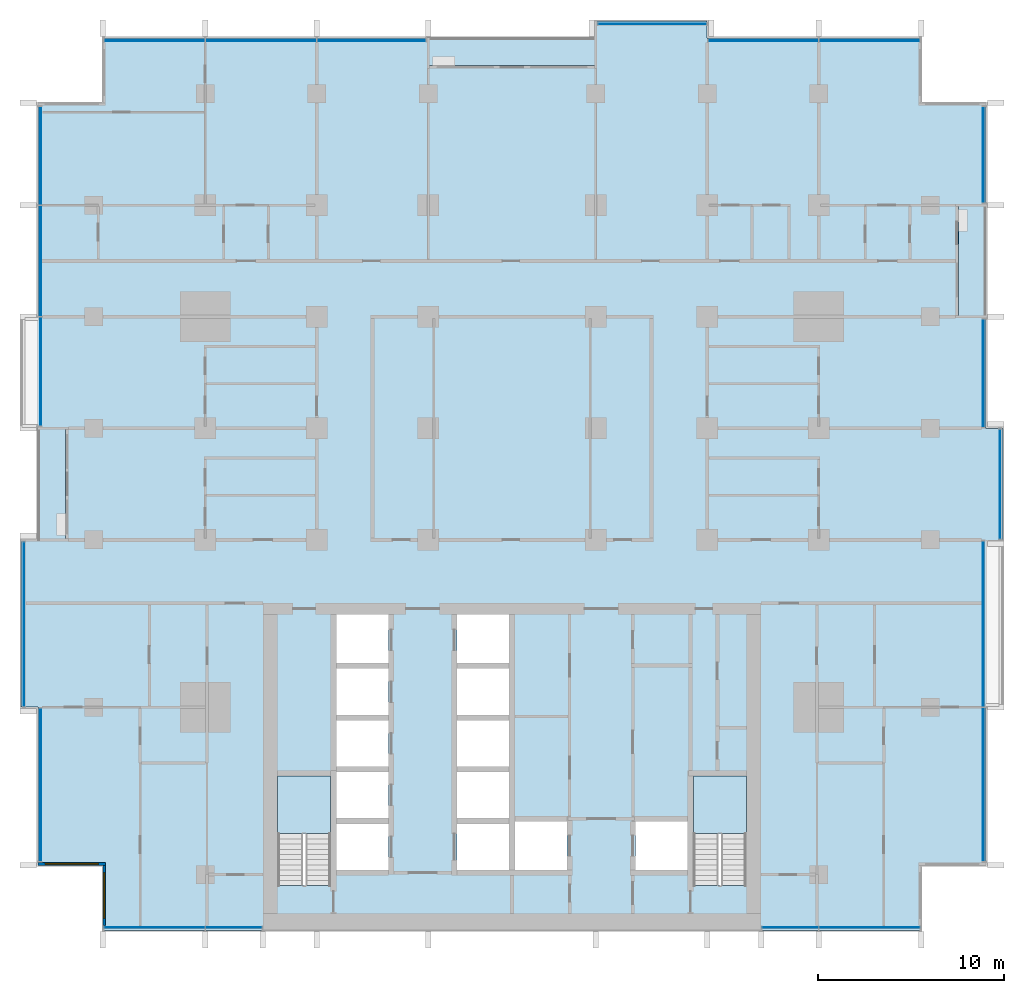
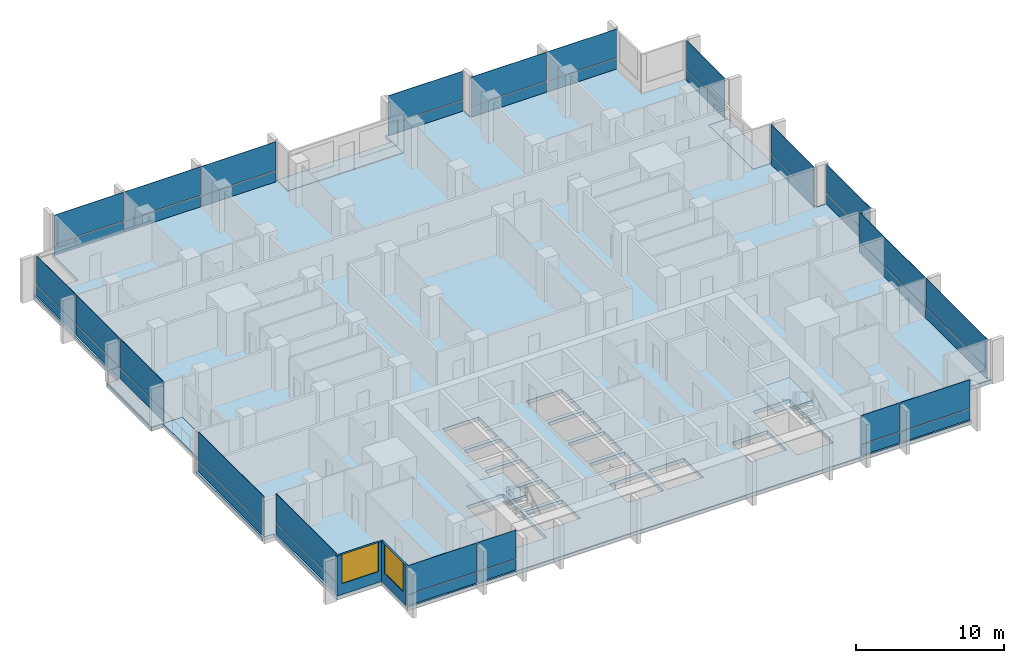
# One storey, part 6 of 17: 40 plates, 6 slabs, 2 walls, 2 windows, 2 openings, 14 elements without a shape of their own.
"""IFC4 building model written with IfcOpenShell, lengths in metres."""

import ifcopenshell
import ifcopenshell.guid

model = None  # the IFC model being written
_history = None  # IfcOwnerHistory: only IFC2X3 demands one
_inside = {}  # id of a spatial element -> (the spatial element, [elements in it])
_under = {}  # id of a project, library or spatial element -> (it, [spatial elements below it])
_declared = {}  # id of a project -> (the project, [libraries it declares])
_typed = {}  # id of a type object -> (the type object, [elements of that type])
_made_of = {}  # id of a material, layer set ... -> (it, [elements and type objects made of it])


def new_model(schema):
    """Start an empty IFC model of exactly this schema.

    Asked for "IFC4X3", IfcOpenShell would pick the latest addendum, in which some entities
    have other attributes; the version numbers below select the first issue.
    IFC2X3 requires an IfcOwnerHistory on every rooted entity: one is made here for all.
    """
    global model, _history
    if schema == "IFC4X3":
        model = ifcopenshell.file(schema_version=(4, 3, 0, 0))
    else:
        model = ifcopenshell.file(schema=schema)
    _inside.clear()
    _under.clear()
    _declared.clear()
    _typed.clear()
    _made_of.clear()
    _history = None
    if model.schema == "IFC2X3":
        org = make("IfcOrganization", Name="unknown")
        user = make(
            "IfcPersonAndOrganization",
            ThePerson=make("IfcPerson", FamilyName="unknown"),
            TheOrganization=org,
        )
        app = make(
            "IfcApplication",
            ApplicationDeveloper=org,
            Version="unknown",
            ApplicationFullName="unknown",
            ApplicationIdentifier="unknown",
        )
        _history = make(
            "IfcOwnerHistory",
            OwningUser=user,
            OwningApplication=app,
            ChangeAction="ADDED",
            CreationDate=0,
        )
    return model


def make(cls, **values):
    """One entity of the class cls with the attributes given. An attribute that is None is left unset."""
    return model.create_entity(
        cls, **{name: value for name, value in values.items() if value is not None}
    )


def rooted(cls, **values):
    """An entity with a GlobalId (a new one), such as an element, a storey or a relation."""
    return make(cls, GlobalId=ifcopenshell.guid.new(), OwnerHistory=_history, **values)


def si_unit(unit_type, name, prefix=None):
    """IfcSIUnit, for example si_unit("LENGTHUNIT", "METRE", prefix="MILLI")."""
    return make("IfcSIUnit", UnitType=unit_type, Prefix=prefix, Name=name)


def assignment(units):
    """IfcUnitAssignment: the units of a project."""
    return None if units is None else make("IfcUnitAssignment", Units=units)


def point(xyz):
    """IfcCartesianPoint."""
    return None if xyz is None else make("IfcCartesianPoint", Coordinates=xyz)


def direction(xyz):
    """IfcDirection."""
    return None if xyz is None else make("IfcDirection", DirectionRatios=xyz)


def frame(location, z_axis=None, x_axis=None):
    """IfcAxis2Placement3D, a coordinate frame: its origin and axes. An axis left out is left unset."""
    return make(
        "IfcAxis2Placement3D",
        Location=point(location),
        Axis=direction(z_axis),
        RefDirection=direction(x_axis),
    )


def frame_2d(location, x_axis=None):
    """IfcAxis2Placement2D, a coordinate frame in the plane: its origin and x axis."""
    return make(
        "IfcAxis2Placement2D", Location=point(location), RefDirection=direction(x_axis)
    )


def origin():
    """The frame at (0, 0, 0) with its axes left unset."""
    return frame((0.0, 0.0, 0.0))


def origin_2d():
    """The frame at (0, 0) in the plane with its x axis left unset."""
    return frame_2d((0.0, 0.0))


def place(relative_to, where):
    """IfcLocalPlacement: puts the frame where relative to a parent placement (None: the world)."""
    return make(
        "IfcLocalPlacement", PlacementRelTo=relative_to, RelativePlacement=where
    )


def context(
    kind, dimensions, precision=None, world=None, true_north=None, identifier=None
):
    """IfcGeometricRepresentationContext, for example the 3D "Model" context."""
    return make(
        "IfcGeometricRepresentationContext",
        ContextIdentifier=identifier,
        ContextType=kind,
        CoordinateSpaceDimension=dimensions,
        Precision=precision,
        WorldCoordinateSystem=world,
        TrueNorth=true_north,
    )


def subcontext(parent, identifier, kind, view, scale=None):
    """IfcGeometricRepresentationSubContext, for example "Body" below "Model"."""
    return make(
        "IfcGeometricRepresentationSubContext",
        ContextIdentifier=identifier,
        ContextType=kind,
        ParentContext=parent,
        TargetScale=scale,
        TargetView=view,
    )


def project(units=None, contexts=None):
    """IfcProject with its units and contexts."""
    return rooted(
        "IfcProject",
        Name="project",
        RepresentationContexts=contexts,
        UnitsInContext=assignment(units),
    )


def spatial(cls, under=None, at=None, **own):
    """A site, building, storey or space (cls), placed at a placement, below another one or the project."""
    s = rooted(cls, ObjectPlacement=at, **own)
    if under is not None:
        _under.setdefault(under.id(), (under, []))[1].append(s)
    return s


def polyline(points):
    """IfcPolyline through the points."""
    return make("IfcPolyline", Points=[point(p) for p in points])


def profile(cls, at=None, kind="AREA", **sizes):
    """A parametric profile (cls). Its sizes go by their IFC names, for example OverallWidth=200.0."""
    return make(cls, ProfileType=kind, Position=at, **sizes)


def rectangle(**sizes):
    """IfcRectangleProfileDef."""
    return profile("IfcRectangleProfileDef", **sizes)


def outline(outer, holes=None, kind="AREA"):
    """IfcArbitraryClosedProfileDef: a profile drawn as a closed curve; with holes, ...WithVoids."""
    if holes is None:
        return make("IfcArbitraryClosedProfileDef", ProfileType=kind, OuterCurve=outer)
    return make(
        "IfcArbitraryProfileDefWithVoids",
        ProfileType=kind,
        OuterCurve=outer,
        InnerCurves=holes,
    )


def extrude(swept, where, along, depth):
    """IfcExtrudedAreaSolid: the profile swept, set in the frame where, extruded along a direction by depth."""
    return make(
        "IfcExtrudedAreaSolid",
        SweptArea=swept,
        Position=where,
        ExtrudedDirection=direction(along),
        Depth=depth,
    )


def shape(context_of_items, identifier, shape_type, items):
    """IfcShapeRepresentation: the items that make up one representation, for example the "Body"."""
    return make(
        "IfcShapeRepresentation",
        ContextOfItems=context_of_items,
        RepresentationIdentifier=identifier,
        RepresentationType=shape_type,
        Items=items,
    )


def material(Name=None, Category=None):
    """IfcMaterial."""
    return make("IfcMaterial", Name=Name, Category=Category)


def layer(
    of_material, thickness, ventilated=None, Name=None, Category=None, Priority=None
):
    """IfcMaterialLayer: one layer of a wall or slab, of a material (None: an air gap)."""
    return make(
        "IfcMaterialLayer",
        Material=of_material,
        LayerThickness=thickness,
        IsVentilated=ventilated,
        Name=Name,
        Category=Category,
        Priority=Priority,
    )


def layer_set(layers, Name=None):
    """IfcMaterialLayerSet."""
    return make("IfcMaterialLayerSet", MaterialLayers=layers, LayerSetName=Name)


def made_of(thing, what):
    """Note that an element or type object is made of a material, layer set ...; save() writes the relation."""
    if what is not None:
        _made_of.setdefault(what.id(), (what, []))[1].append(thing)
    return thing


def type_object(cls, material=None, **own):
    """A type object (cls), such as IfcWallType, which elements share."""
    return made_of(rooted(cls, **own), material)


def element(
    cls,
    number,
    at=None,
    inside=None,
    cuts=None,
    type_object=None,
    material=None,
    context=None,
    identifier="Body",
    shape_type=None,
    held_by="IfcProductDefinitionShape",
    body=None,
    shapes=None,
    **own,
):
    """One element of the class cls, such as IfcWall. Its Tag is "e" and its number.

    at: its placement. inside: the storey or other place that contains it. cuts: it is an
    opening in that element (IfcRelVoidsElement). A single representation is given by context,
    identifier, shape_type and body (its items); several are given by shapes. held_by: the class
    of the entity that holds the representations. save() writes the other relations.
    """
    e = rooted(cls, Tag="e%d" % number, ObjectPlacement=at, **own)
    if body is not None:
        shapes = [shape(context, identifier, shape_type, body)]
    if shapes is not None:
        e.Representation = make(held_by, Representations=shapes)
    if inside is not None:
        _inside.setdefault(inside.id(), (inside, []))[1].append(e)
    if cuts is not None:
        rooted(
            "IfcRelVoidsElement", RelatingBuildingElement=cuts, RelatedOpeningElement=e
        )
    if type_object is not None:
        _typed.setdefault(type_object.id(), (type_object, []))[1].append(e)
    return made_of(e, material)


def fill(opening, filler):
    """IfcRelFillsElement: the door or window that sits in an opening."""
    return rooted(
        "IfcRelFillsElement",
        RelatingOpeningElement=opening,
        RelatedBuildingElement=filler,
    )


def aggregate(whole, parts):
    """IfcRelAggregates: a whole, such as a stair, and the parts it consists of."""
    return rooted("IfcRelAggregates", RelatingObject=whole, RelatedObjects=parts)


def save(model, path):
    """Write the relations noted so far, then the file.

    IfcRelAggregates (storeys below a building ...), IfcRelContainedInSpatialStructure (elements
    in a storey), IfcRelDefinesByType, IfcRelAssociatesMaterial and IfcRelDeclares: one each for
    every whole, place, type object, material and project.
    """
    for whole, parts in _under.values():
        aggregate(whole, parts)
    for where, things in _inside.values():
        rooted(
            "IfcRelContainedInSpatialStructure",
            RelatedElements=things,
            RelatingStructure=where,
        )
    for kind, things in _typed.values():
        rooted("IfcRelDefinesByType", RelatedObjects=things, RelatingType=kind)
    for what, things in _made_of.values():
        rooted("IfcRelAssociatesMaterial", RelatedObjects=things, RelatingMaterial=what)
    for by, libraries in _declared.values():
        rooted("IfcRelDeclares", RelatingContext=by, RelatedDefinitions=libraries)
    model.write(path)


model = new_model("IFC4")

# Units and contexts
model_context = context("Model", 3, precision=1e-05, world=origin(), true_north=direction((0.0, 1.0)))
body_context = subcontext(model_context, "Body", "Model", "MODEL_VIEW")
ifc_project = project(units=[si_unit("LENGTHUNIT", "METRE"), si_unit("AREAUNIT", "SQUARE_METRE"), si_unit("VOLUMEUNIT", "CUBIC_METRE"), si_unit("PLANEANGLEUNIT", "RADIAN"), si_unit("MASSUNIT", "GRAM", prefix="KILO")], contexts=[model_context])

# Site, building, storey
site_placement = place(None, origin())
site = spatial("IfcSite", under=ifc_project, at=site_placement, CompositionType="ELEMENT")
building_placement = place(site_placement, origin())
building = spatial("IfcBuilding", under=site, at=building_placement, Name="Finial Court Residences", CompositionType="ELEMENT")
storey_placement = place(building_placement, frame((0.0, 0.0, 113.5)))
storey = spatial("IfcBuildingStorey", under=building, at=storey_placement, Name="L28", CompositionType="ELEMENT", Elevation=113.5)

# Slabs
ifc_material_1 = material(Name="Concrete C35/45", Category="concrete")
ifc_layer_1 = layer(ifc_material_1, 0.199951171875)
ifc_layer_set_1 = layer_set([ifc_layer_1], Name="Balcony slab, Concrete C35/45 200")
slab_type_1 = type_object("IfcSlabType", Name="Balcony slab, Concrete C35/45 200", PredefinedType="FLOOR", material=ifc_layer_set_1)
slab_1_placement = place(storey_placement, frame((0.0, 0.0, -0.199951171875)))
element("IfcSlab", 1, at=slab_1_placement, inside=storey, type_object=slab_type_1, Name="Balcony L28-N4", PredefinedType="FLOOR", context=body_context, shape_type="SweptSolid", body=[
    extrude(outline(polyline([(4.5, 21.0), (4.5, 22.5), (-4.5, 22.5), (-4.5, 21.0), (4.5, 21.0)])), origin(), (0.0, 0.0, 1.0), 0.199951171875),
])
slab_2_placement = place(storey_placement, frame((0.0, 0.0, -0.199951171875)))
element("IfcSlab", 2, at=slab_2_placement, inside=storey, type_object=slab_type_1, Name="Balcony L28-E5", PredefinedType="FLOOR", context=body_context, shape_type="SweptSolid", body=[
    extrude(outline(polyline([(25.5, 7.5), (25.5, 13.5), (24.0, 13.5), (24.0, 7.5), (25.5, 7.5)])), origin(), (0.0, 0.0, 1.0), 0.199951171875),
])
slab_3_placement = place(storey_placement, frame((0.0, 0.0, -0.199951171875)))
element("IfcSlab", 3, at=slab_3_placement, inside=storey, type_object=slab_type_1, Name="Balcony L28-W3", PredefinedType="FLOOR", context=body_context, shape_type="SweptSolid", body=[
    extrude(outline(polyline([(-24.0, -4.5), (-24.0, 1.5), (-25.5, 1.5), (-25.5, -4.5), (-24.0, -4.5)])), origin(), (0.0, 0.0, 1.0), 0.199951171875),
])

# Curtain wall, plates
ifc_material_2 = material(Name="Bronze anodised aluminium", Category="aluminium")
curtain_wall_type = type_object("IfcCurtainWallType", Name="Unitised curtain wall, lower and middle zones", PredefinedType="NOTDEFINED", material=ifc_material_2)
curtain_wall_1_placement = place(storey_placement, origin())
curtain_wall_1 = element("IfcCurtainWall", 4, at=curtain_wall_1_placement, inside=storey, type_object=curtain_wall_type, Name="E-L28-CW-N1", PredefinedType="NOTDEFINED")
ifc_layer_2 = layer(ifc_material_2, 0.0400390625)
ifc_layer_set_2 = layer_set([ifc_layer_2], Name="CW1 spandrel panel 40")
plate_type_1 = type_object("IfcPlateType", Name="CW1 spandrel panel 40", PredefinedType="CURTAIN_PANEL", material=ifc_layer_set_2)
plate_1_placement = place(storey_placement, frame((-19.23388671875, 22.35009765625, 0.0), z_axis=(0.0, 0.0, 1.0), x_axis=(1.0, 0.0, 0.0)))
plate_1 = element("IfcPlate", 5, at=plate_1_placement, type_object=plate_type_1, Name="CW1 spandrel 1.1", PredefinedType="CURTAIN_PANEL", context=body_context, shape_type="SweptSolid", body=[
    extrude(rectangle(XDim=5.402587890625, YDim=0.0400390625, at=origin_2d()), origin(), (0.0, 0.0, 1.0), 0.867431640625),
])
plate_2_placement = place(storey_placement, frame((-13.5, 22.35009765625, 0.0), z_axis=(0.0, 0.0, 1.0), x_axis=(1.0, 0.0, 0.0)))
plate_2 = element("IfcPlate", 6, at=plate_2_placement, type_object=plate_type_1, Name="CW1 spandrel 2.1", PredefinedType="CURTAIN_PANEL", context=body_context, shape_type="SweptSolid", body=[
    extrude(rectangle(XDim=5.93505859375, YDim=0.0400390625, at=origin_2d()), origin(), (0.0, 0.0, 1.0), 0.867431640625),
])
plate_3_placement = place(storey_placement, frame((-7.5537109375, 22.35009765625, 0.0), z_axis=(0.0, 0.0, 1.0), x_axis=(1.0, 0.0, 0.0)))
plate_3 = element("IfcPlate", 7, at=plate_3_placement, type_object=plate_type_1, Name="CW1 spandrel 3.1", PredefinedType="CURTAIN_PANEL", context=body_context, shape_type="SweptSolid", body=[
    extrude(rectangle(XDim=5.827392578125, YDim=0.0400390625, at=origin_2d()), origin(), (0.0, 0.0, 1.0), 0.867431640625),
])

# Curtain wall, plate
curtain_wall_2_placement = place(storey_placement, origin())
curtain_wall_2 = element("IfcCurtainWall", 8, at=curtain_wall_2_placement, inside=storey, type_object=curtain_wall_type, Name="E-L28-CW-N2", PredefinedType="NOTDEFINED")
plate_4_placement = place(storey_placement, frame((7.53759765625, 23.25, 0.0), z_axis=(0.0, 0.0, 1.0), x_axis=(1.0, 0.0, 0.0)))
plate_4 = element("IfcPlate", 9, at=plate_4_placement, type_object=plate_type_1, Name="CW1 spandrel 1.1", PredefinedType="CURTAIN_PANEL", context=body_context, shape_type="SweptSolid", body=[
    extrude(rectangle(XDim=5.794921875, YDim=0.0400390625, at=origin_2d()), origin(), (0.0, 0.0, 1.0), 0.867431640625),
])

# Curtain wall, plates
curtain_wall_3_placement = place(storey_placement, origin())
curtain_wall_3 = element("IfcCurtainWall", 10, at=curtain_wall_3_placement, inside=storey, type_object=curtain_wall_type, Name="E-L28-CW-N3", PredefinedType="NOTDEFINED")
plate_5_placement = place(storey_placement, frame((13.516357421875, 22.35009765625, 0.0), z_axis=(0.0, 0.0, 1.0), x_axis=(1.0, 0.0, 0.0)))
plate_5 = element("IfcPlate", 11, at=plate_5_placement, type_object=plate_type_1, Name="CW1 spandrel 1.1", PredefinedType="CURTAIN_PANEL", context=body_context, shape_type="SweptSolid", body=[
    extrude(rectangle(XDim=5.902587890625, YDim=0.0400390625, at=origin_2d()), origin(), (0.0, 0.0, 1.0), 0.867431640625),
])
plate_6_placement = place(storey_placement, frame((19.23388671875, 22.35009765625, 0.0), z_axis=(0.0, 0.0, 1.0), x_axis=(1.0, 0.0, 0.0)))
plate_6 = element("IfcPlate", 12, at=plate_6_placement, type_object=plate_type_1, Name="CW1 spandrel 2.1", PredefinedType="CURTAIN_PANEL", context=body_context, shape_type="SweptSolid", body=[
    extrude(rectangle(XDim=5.402587890625, YDim=0.0400390625, at=origin_2d()), origin(), (0.0, 0.0, 1.0), 0.867431640625),
])

curtain_wall_4_placement = place(storey_placement, origin())
curtain_wall_4 = element("IfcCurtainWall", 13, at=curtain_wall_4_placement, inside=storey, type_object=curtain_wall_type, Name="E-L28-CW-E4", PredefinedType="NOTDEFINED")
plate_7_placement = place(storey_placement, frame((25.35009765625, -17.65869140625, 0.0), z_axis=(0.0, 0.0, 1.0), x_axis=(0.0, 1.0, 0.0)))
plate_7 = element("IfcPlate", 14, at=plate_7_placement, type_object=plate_type_1, Name="CW1 spandrel 1.1", PredefinedType="CURTAIN_PANEL", context=body_context, shape_type="SweptSolid", body=[
    extrude(rectangle(XDim=8.25244140625, YDim=0.0400390625, at=origin_2d()), origin(), (0.0, 0.0, 1.0), 0.867431640625),
])
plate_8_placement = place(storey_placement, frame((25.35009765625, -9.01611328125, 0.0), z_axis=(0.0, 0.0, 1.0), x_axis=(0.0, 1.0, 0.0)))
plate_8 = element("IfcPlate", 15, at=plate_8_placement, type_object=plate_type_1, Name="CW1 spandrel 2.1", PredefinedType="CURTAIN_PANEL", context=body_context, shape_type="SweptSolid", body=[
    extrude(rectangle(XDim=8.902587890625, YDim=0.0400390625, at=origin_2d()), origin(), (0.0, 0.0, 1.0), 0.867431640625),
])

# Curtain wall, plate
curtain_wall_5_placement = place(storey_placement, origin())
curtain_wall_5 = element("IfcCurtainWall", 16, at=curtain_wall_5_placement, inside=storey, type_object=curtain_wall_type, Name="E-L28-CW-E5", PredefinedType="NOTDEFINED")
plate_9_placement = place(storey_placement, frame((26.25, -1.5, 0.0), z_axis=(0.0, 0.0, 1.0), x_axis=(0.0, 1.0, 0.0)))
plate_9 = element("IfcPlate", 17, at=plate_9_placement, type_object=plate_type_1, Name="CW1 spandrel 1.1", PredefinedType="CURTAIN_PANEL", context=body_context, shape_type="SweptSolid", body=[
    extrude(rectangle(XDim=5.8701171875, YDim=0.0400390625, at=origin_2d()), origin(), (0.0, 0.0, 1.0), 0.867431640625),
])

curtain_wall_6_placement = place(storey_placement, origin())
curtain_wall_6 = element("IfcCurtainWall", 18, at=curtain_wall_6_placement, inside=storey, type_object=curtain_wall_type, Name="E-L28-CW-E6", PredefinedType="NOTDEFINED")
plate_10_placement = place(storey_placement, frame((25.35009765625, 4.46240234375, 0.0), z_axis=(0.0, 0.0, 1.0), x_axis=(0.0, 1.0, 0.0)))
plate_10 = element("IfcPlate", 19, at=plate_10_placement, type_object=plate_type_1, Name="CW1 spandrel 1.1", PredefinedType="CURTAIN_PANEL", context=body_context, shape_type="SweptSolid", body=[
    extrude(rectangle(XDim=5.794921875, YDim=0.0400390625, at=origin_2d()), origin(), (0.0, 0.0, 1.0), 0.867431640625),
])

curtain_wall_7_placement = place(storey_placement, origin())
curtain_wall_7 = element("IfcCurtainWall", 20, at=curtain_wall_7_placement, inside=storey, type_object=curtain_wall_type, Name="E-L28-CW-E7", PredefinedType="NOTDEFINED")
plate_11_placement = place(storey_placement, frame((25.35009765625, 16.21240234375, 0.0), z_axis=(0.0, 0.0, 1.0), x_axis=(0.0, 1.0, 0.0)))
plate_11 = element("IfcPlate", 21, at=plate_11_placement, type_object=plate_type_1, Name="CW1 spandrel 1.1", PredefinedType="CURTAIN_PANEL", context=body_context, shape_type="SweptSolid", body=[
    extrude(rectangle(XDim=5.14501953125, YDim=0.0400390625, at=origin_2d()), origin(), (0.0, 0.0, 1.0), 0.867431640625),
])

# Curtain wall, plates
curtain_wall_8_placement = place(storey_placement, origin())
curtain_wall_8 = element("IfcCurtainWall", 22, at=curtain_wall_8_placement, inside=storey, type_object=curtain_wall_type, Name="E-L28-CW-S8", PredefinedType="NOTDEFINED")
plate_12_placement = place(storey_placement, frame((-19.23388671875, -25.35009765625, 0.0), z_axis=(0.0, 0.0, 1.0), x_axis=(1.0, 0.0, 0.0)))
plate_12 = element("IfcPlate", 23, at=plate_12_placement, type_object=plate_type_1, Name="CW1 spandrel 1.1", PredefinedType="CURTAIN_PANEL", context=body_context, shape_type="SweptSolid", body=[
    extrude(rectangle(XDim=5.402587890625, YDim=0.0400390625, at=origin_2d()), origin(), (0.0, 0.0, 1.0), 0.867431640625),
])
plate_13_placement = place(storey_placement, frame((-14.96630859375, -25.35009765625, 0.0), z_axis=(0.0, 0.0, 1.0), x_axis=(1.0, 0.0, 0.0)))
plate_13 = element("IfcPlate", 24, at=plate_13_placement, type_object=plate_type_1, Name="CW1 spandrel 2.1", PredefinedType="CURTAIN_PANEL", context=body_context, shape_type="SweptSolid", body=[
    extrude(rectangle(XDim=3.00244140625, YDim=0.0400390625, at=origin_2d()), origin(), (0.0, 0.0, 1.0), 0.867431640625),
])

curtain_wall_9_placement = place(storey_placement, origin())
curtain_wall_9 = element("IfcCurtainWall", 25, at=curtain_wall_9_placement, inside=storey, type_object=curtain_wall_type, Name="E-L28-CW-S9", PredefinedType="NOTDEFINED")
plate_14_placement = place(storey_placement, frame((14.96630859375, -25.35009765625, 0.0), z_axis=(0.0, 0.0, 1.0), x_axis=(1.0, 0.0, 0.0)))
plate_14 = element("IfcPlate", 26, at=plate_14_placement, type_object=plate_type_1, Name="CW1 spandrel 1.1", PredefinedType="CURTAIN_PANEL", context=body_context, shape_type="SweptSolid", body=[
    extrude(rectangle(XDim=3.00244140625, YDim=0.0400390625, at=origin_2d()), origin(), (0.0, 0.0, 1.0), 0.867431640625),
])
plate_15_placement = place(storey_placement, frame((19.23388671875, -25.35009765625, 0.0), z_axis=(0.0, 0.0, 1.0), x_axis=(1.0, 0.0, 0.0)))
plate_15 = element("IfcPlate", 27, at=plate_15_placement, type_object=plate_type_1, Name="CW1 spandrel 2.1", PredefinedType="CURTAIN_PANEL", context=body_context, shape_type="SweptSolid", body=[
    extrude(rectangle(XDim=5.402587890625, YDim=0.0400390625, at=origin_2d()), origin(), (0.0, 0.0, 1.0), 0.867431640625),
])

# Curtain wall, plate
curtain_wall_10_placement = place(storey_placement, origin())
curtain_wall_10 = element("IfcCurtainWall", 28, at=curtain_wall_10_placement, inside=storey, type_object=curtain_wall_type, Name="E-L28-CW-W10", PredefinedType="NOTDEFINED")
plate_16_placement = place(storey_placement, frame((-25.35009765625, -17.675048828125, 0.0), z_axis=(0.0, 0.0, 1.0), x_axis=(0.0, 1.0, 0.0)))
plate_16 = element("IfcPlate", 29, at=plate_16_placement, type_object=plate_type_1, Name="CW1 spandrel 1.1", PredefinedType="CURTAIN_PANEL", context=body_context, shape_type="SweptSolid", body=[
    extrude(rectangle(XDim=8.219970703125, YDim=0.0400390625, at=origin_2d()), origin(), (0.0, 0.0, 1.0), 0.867431640625),
])

curtain_wall_11_placement = place(storey_placement, origin())
curtain_wall_11 = element("IfcCurtainWall", 30, at=curtain_wall_11_placement, inside=storey, type_object=curtain_wall_type, Name="E-L28-CW-W11", PredefinedType="NOTDEFINED")
plate_17_placement = place(storey_placement, frame((-26.25, -9.03759765625, 0.0), z_axis=(0.0, 0.0, 1.0), x_axis=(0.0, 1.0, 0.0)))
plate_17 = element("IfcPlate", 31, at=plate_17_placement, type_object=plate_type_1, Name="CW1 spandrel 1.1", PredefinedType="CURTAIN_PANEL", context=body_context, shape_type="SweptSolid", body=[
    extrude(rectangle(XDim=8.794921875, YDim=0.0400390625, at=origin_2d()), origin(), (0.0, 0.0, 1.0), 0.867431640625),
])

# Curtain wall, plates
curtain_wall_12_placement = place(storey_placement, origin())
curtain_wall_12 = element("IfcCurtainWall", 32, at=curtain_wall_12_placement, inside=storey, type_object=curtain_wall_type, Name="E-L28-CW-W12", PredefinedType="NOTDEFINED")
plate_18_placement = place(storey_placement, frame((-25.35009765625, 4.5537109375, 0.0), z_axis=(0.0, 0.0, 1.0), x_axis=(0.0, 1.0, 0.0)))
plate_18 = element("IfcPlate", 33, at=plate_18_placement, type_object=plate_type_1, Name="CW1 spandrel 1.1", PredefinedType="CURTAIN_PANEL", context=body_context, shape_type="SweptSolid", body=[
    extrude(rectangle(XDim=5.827392578125, YDim=0.0400390625, at=origin_2d()), origin(), (0.0, 0.0, 1.0), 0.867431640625),
])
plate_19_placement = place(storey_placement, frame((-25.35009765625, 10.5, 0.0), z_axis=(0.0, 0.0, 1.0), x_axis=(0.0, 1.0, 0.0)))
plate_19 = element("IfcPlate", 34, at=plate_19_placement, type_object=plate_type_1, Name="CW1 spandrel 2.1", PredefinedType="CURTAIN_PANEL", context=body_context, shape_type="SweptSolid", body=[
    extrude(rectangle(XDim=5.93505859375, YDim=0.0400390625, at=origin_2d()), origin(), (0.0, 0.0, 1.0), 0.867431640625),
])
plate_20_placement = place(storey_placement, frame((-25.35009765625, 16.15869140625, 0.0), z_axis=(0.0, 0.0, 1.0), x_axis=(0.0, 1.0, 0.0)))
plate_20 = element("IfcPlate", 35, at=plate_20_placement, type_object=plate_type_1, Name="CW1 spandrel 3.1", PredefinedType="CURTAIN_PANEL", context=body_context, shape_type="SweptSolid", body=[
    extrude(rectangle(XDim=5.25244140625, YDim=0.0400390625, at=origin_2d()), origin(), (0.0, 0.0, 1.0), 0.867431640625),
])

# Plate
ifc_material_3 = material(Name="Clear low-e glass", Category="glass")
ifc_layer_3 = layer(ifc_material_3, 0.031982421875)
ifc_layer_set_3 = layer_set([ifc_layer_3], Name="CW1 vision glass 32")
plate_type_2 = type_object("IfcPlateType", Name="CW1 vision glass 32", PredefinedType="CURTAIN_PANEL", material=ifc_layer_set_3)
plate_21_placement = place(storey_placement, frame((-19.23388671875, 22.35009765625, 0.9326171875), z_axis=(0.0, 0.0, 1.0), x_axis=(1.0, 0.0, 0.0)))
plate_21 = element("IfcPlate", 36, at=plate_21_placement, type_object=plate_type_2, Name="CW1 glass 1.2", PredefinedType="CURTAIN_PANEL", context=body_context, shape_type="SweptSolid", body=[
    extrude(rectangle(XDim=5.402587890625, YDim=0.031982421875, at=origin_2d()), origin(), (0.0, 0.0, 1.0), 2.367431640625),
])

plate_22_placement = place(storey_placement, frame((-13.5, 22.35009765625, 0.9326171875), z_axis=(0.0, 0.0, 1.0), x_axis=(1.0, 0.0, 0.0)))
plate_22 = element("IfcPlate", 37, at=plate_22_placement, type_object=plate_type_2, Name="CW1 glass 2.2", PredefinedType="CURTAIN_PANEL", context=body_context, shape_type="SweptSolid", body=[
    extrude(rectangle(XDim=5.93505859375, YDim=0.031982421875, at=origin_2d()), origin(), (0.0, 0.0, 1.0), 2.367431640625),
])

plate_23_placement = place(storey_placement, frame((-7.5537109375, 22.35009765625, 0.9326171875), z_axis=(0.0, 0.0, 1.0), x_axis=(1.0, 0.0, 0.0)))
plate_23 = element("IfcPlate", 38, at=plate_23_placement, type_object=plate_type_2, Name="CW1 glass 3.2", PredefinedType="CURTAIN_PANEL", context=body_context, shape_type="SweptSolid", body=[
    extrude(rectangle(XDim=5.827392578125, YDim=0.031982421875, at=origin_2d()), origin(), (0.0, 0.0, 1.0), 2.367431640625),
])

aggregate(curtain_wall_1, [plate_1, plate_21, plate_2, plate_22, plate_3, plate_23])

plate_24_placement = place(storey_placement, frame((7.53759765625, 23.25, 0.9326171875), z_axis=(0.0, 0.0, 1.0), x_axis=(1.0, 0.0, 0.0)))
plate_24 = element("IfcPlate", 39, at=plate_24_placement, type_object=plate_type_2, Name="CW1 glass 1.2", PredefinedType="CURTAIN_PANEL", context=body_context, shape_type="SweptSolid", body=[
    extrude(rectangle(XDim=5.794921875, YDim=0.031982421875, at=origin_2d()), origin(), (0.0, 0.0, 1.0), 2.367431640625),
])

aggregate(curtain_wall_2, [plate_4, plate_24])

plate_25_placement = place(storey_placement, frame((13.516357421875, 22.35009765625, 0.9326171875), z_axis=(0.0, 0.0, 1.0), x_axis=(1.0, 0.0, 0.0)))
plate_25 = element("IfcPlate", 40, at=plate_25_placement, type_object=plate_type_2, Name="CW1 glass 1.2", PredefinedType="CURTAIN_PANEL", context=body_context, shape_type="SweptSolid", body=[
    extrude(rectangle(XDim=5.902587890625, YDim=0.031982421875, at=origin_2d()), origin(), (0.0, 0.0, 1.0), 2.367431640625),
])

plate_26_placement = place(storey_placement, frame((19.23388671875, 22.35009765625, 0.9326171875), z_axis=(0.0, 0.0, 1.0), x_axis=(1.0, 0.0, 0.0)))
plate_26 = element("IfcPlate", 41, at=plate_26_placement, type_object=plate_type_2, Name="CW1 glass 2.2", PredefinedType="CURTAIN_PANEL", context=body_context, shape_type="SweptSolid", body=[
    extrude(rectangle(XDim=5.402587890625, YDim=0.031982421875, at=origin_2d()), origin(), (0.0, 0.0, 1.0), 2.367431640625),
])

aggregate(curtain_wall_3, [plate_5, plate_25, plate_6, plate_26])

plate_27_placement = place(storey_placement, frame((25.35009765625, -17.65869140625, 0.9326171875), z_axis=(0.0, 0.0, 1.0), x_axis=(0.0, 1.0, 0.0)))
plate_27 = element("IfcPlate", 42, at=plate_27_placement, type_object=plate_type_2, Name="CW1 glass 1.2", PredefinedType="CURTAIN_PANEL", context=body_context, shape_type="SweptSolid", body=[
    extrude(rectangle(XDim=8.25244140625, YDim=0.031982421875, at=origin_2d()), origin(), (0.0, 0.0, 1.0), 2.367431640625),
])

plate_28_placement = place(storey_placement, frame((25.35009765625, -9.01611328125, 0.9326171875), z_axis=(0.0, 0.0, 1.0), x_axis=(0.0, 1.0, 0.0)))
plate_28 = element("IfcPlate", 43, at=plate_28_placement, type_object=plate_type_2, Name="CW1 glass 2.2", PredefinedType="CURTAIN_PANEL", context=body_context, shape_type="SweptSolid", body=[
    extrude(rectangle(XDim=8.902587890625, YDim=0.031982421875, at=origin_2d()), origin(), (0.0, 0.0, 1.0), 2.367431640625),
])

aggregate(curtain_wall_4, [plate_7, plate_27, plate_8, plate_28])

plate_29_placement = place(storey_placement, frame((26.25, -1.5, 0.9326171875), z_axis=(0.0, 0.0, 1.0), x_axis=(0.0, 1.0, 0.0)))
plate_29 = element("IfcPlate", 44, at=plate_29_placement, type_object=plate_type_2, Name="CW1 glass 1.2", PredefinedType="CURTAIN_PANEL", context=body_context, shape_type="SweptSolid", body=[
    extrude(rectangle(XDim=5.8701171875, YDim=0.031982421875, at=origin_2d()), origin(), (0.0, 0.0, 1.0), 2.367431640625),
])

aggregate(curtain_wall_5, [plate_9, plate_29])

plate_30_placement = place(storey_placement, frame((25.35009765625, 4.46240234375, 0.9326171875), z_axis=(0.0, 0.0, 1.0), x_axis=(0.0, 1.0, 0.0)))
plate_30 = element("IfcPlate", 45, at=plate_30_placement, type_object=plate_type_2, Name="CW1 glass 1.2", PredefinedType="CURTAIN_PANEL", context=body_context, shape_type="SweptSolid", body=[
    extrude(rectangle(XDim=5.794921875, YDim=0.031982421875, at=origin_2d()), origin(), (0.0, 0.0, 1.0), 2.367431640625),
])

aggregate(curtain_wall_6, [plate_10, plate_30])

plate_31_placement = place(storey_placement, frame((25.35009765625, 16.21240234375, 0.9326171875), z_axis=(0.0, 0.0, 1.0), x_axis=(0.0, 1.0, 0.0)))
plate_31 = element("IfcPlate", 46, at=plate_31_placement, type_object=plate_type_2, Name="CW1 glass 1.2", PredefinedType="CURTAIN_PANEL", context=body_context, shape_type="SweptSolid", body=[
    extrude(rectangle(XDim=5.14501953125, YDim=0.031982421875, at=origin_2d()), origin(), (0.0, 0.0, 1.0), 2.367431640625),
])

aggregate(curtain_wall_7, [plate_11, plate_31])

plate_32_placement = place(storey_placement, frame((-19.23388671875, -25.35009765625, 0.9326171875), z_axis=(0.0, 0.0, 1.0), x_axis=(1.0, 0.0, 0.0)))
plate_32 = element("IfcPlate", 47, at=plate_32_placement, type_object=plate_type_2, Name="CW1 glass 1.2", PredefinedType="CURTAIN_PANEL", context=body_context, shape_type="SweptSolid", body=[
    extrude(rectangle(XDim=5.402587890625, YDim=0.031982421875, at=origin_2d()), origin(), (0.0, 0.0, 1.0), 2.367431640625),
])

plate_33_placement = place(storey_placement, frame((-14.96630859375, -25.35009765625, 0.9326171875), z_axis=(0.0, 0.0, 1.0), x_axis=(1.0, 0.0, 0.0)))
plate_33 = element("IfcPlate", 48, at=plate_33_placement, type_object=plate_type_2, Name="CW1 glass 2.2", PredefinedType="CURTAIN_PANEL", context=body_context, shape_type="SweptSolid", body=[
    extrude(rectangle(XDim=3.00244140625, YDim=0.031982421875, at=origin_2d()), origin(), (0.0, 0.0, 1.0), 2.367431640625),
])

aggregate(curtain_wall_8, [plate_12, plate_32, plate_13, plate_33])

plate_34_placement = place(storey_placement, frame((14.96630859375, -25.35009765625, 0.9326171875), z_axis=(0.0, 0.0, 1.0), x_axis=(1.0, 0.0, 0.0)))
plate_34 = element("IfcPlate", 49, at=plate_34_placement, type_object=plate_type_2, Name="CW1 glass 1.2", PredefinedType="CURTAIN_PANEL", context=body_context, shape_type="SweptSolid", body=[
    extrude(rectangle(XDim=3.00244140625, YDim=0.031982421875, at=origin_2d()), origin(), (0.0, 0.0, 1.0), 2.367431640625),
])

plate_35_placement = place(storey_placement, frame((19.23388671875, -25.35009765625, 0.9326171875), z_axis=(0.0, 0.0, 1.0), x_axis=(1.0, 0.0, 0.0)))
plate_35 = element("IfcPlate", 50, at=plate_35_placement, type_object=plate_type_2, Name="CW1 glass 2.2", PredefinedType="CURTAIN_PANEL", context=body_context, shape_type="SweptSolid", body=[
    extrude(rectangle(XDim=5.402587890625, YDim=0.031982421875, at=origin_2d()), origin(), (0.0, 0.0, 1.0), 2.367431640625),
])

aggregate(curtain_wall_9, [plate_14, plate_34, plate_15, plate_35])

plate_36_placement = place(storey_placement, frame((-25.35009765625, -17.675048828125, 0.9326171875), z_axis=(0.0, 0.0, 1.0), x_axis=(0.0, 1.0, 0.0)))
plate_36 = element("IfcPlate", 51, at=plate_36_placement, type_object=plate_type_2, Name="CW1 glass 1.2", PredefinedType="CURTAIN_PANEL", context=body_context, shape_type="SweptSolid", body=[
    extrude(rectangle(XDim=8.219970703125, YDim=0.031982421875, at=origin_2d()), origin(), (0.0, 0.0, 1.0), 2.367431640625),
])

aggregate(curtain_wall_10, [plate_16, plate_36])

plate_37_placement = place(storey_placement, frame((-26.25, -9.03759765625, 0.9326171875), z_axis=(0.0, 0.0, 1.0), x_axis=(0.0, 1.0, 0.0)))
plate_37 = element("IfcPlate", 52, at=plate_37_placement, type_object=plate_type_2, Name="CW1 glass 1.2", PredefinedType="CURTAIN_PANEL", context=body_context, shape_type="SweptSolid", body=[
    extrude(rectangle(XDim=8.794921875, YDim=0.031982421875, at=origin_2d()), origin(), (0.0, 0.0, 1.0), 2.367431640625),
])

aggregate(curtain_wall_11, [plate_17, plate_37])

plate_38_placement = place(storey_placement, frame((-25.35009765625, 4.5537109375, 0.9326171875), z_axis=(0.0, 0.0, 1.0), x_axis=(0.0, 1.0, 0.0)))
plate_38 = element("IfcPlate", 53, at=plate_38_placement, type_object=plate_type_2, Name="CW1 glass 1.2", PredefinedType="CURTAIN_PANEL", context=body_context, shape_type="SweptSolid", body=[
    extrude(rectangle(XDim=5.827392578125, YDim=0.031982421875, at=origin_2d()), origin(), (0.0, 0.0, 1.0), 2.367431640625),
])

plate_39_placement = place(storey_placement, frame((-25.35009765625, 10.5, 0.9326171875), z_axis=(0.0, 0.0, 1.0), x_axis=(0.0, 1.0, 0.0)))
plate_39 = element("IfcPlate", 54, at=plate_39_placement, type_object=plate_type_2, Name="CW1 glass 2.2", PredefinedType="CURTAIN_PANEL", context=body_context, shape_type="SweptSolid", body=[
    extrude(rectangle(XDim=5.93505859375, YDim=0.031982421875, at=origin_2d()), origin(), (0.0, 0.0, 1.0), 2.367431640625),
])

plate_40_placement = place(storey_placement, frame((-25.35009765625, 16.15869140625, 0.9326171875), z_axis=(0.0, 0.0, 1.0), x_axis=(0.0, 1.0, 0.0)))
plate_40 = element("IfcPlate", 55, at=plate_40_placement, type_object=plate_type_2, Name="CW1 glass 3.2", PredefinedType="CURTAIN_PANEL", context=body_context, shape_type="SweptSolid", body=[
    extrude(rectangle(XDim=5.25244140625, YDim=0.031982421875, at=origin_2d()), origin(), (0.0, 0.0, 1.0), 2.367431640625),
])

aggregate(curtain_wall_12, [plate_18, plate_38, plate_19, plate_39, plate_20, plate_40])

# Stair, slab
ifc_material_4 = material(Name="Concrete C50/60", Category="concrete")
stair_type = type_object("IfcStairType", Name="Exit stair 22 risers of 163.6 mm", PredefinedType="HALF_TURN_STAIR", material=ifc_material_4)
stair_1_placement = place(storey_placement, origin())
stair_1 = element("IfcStair", 56, at=stair_1_placement, inside=storey, type_object=stair_type, Name="L28 Exit stair ST-1", PredefinedType="HALF_TURN_STAIR")
ifc_layer_4 = layer(ifc_material_4, 0.199951171875)
ifc_layer_set_4 = layer_set([ifc_layer_4], Name="Exit stair landing")
slab_type_2 = type_object("IfcSlabType", Name="Exit stair landing", PredefinedType="LANDING", material=ifc_layer_set_4)
slab_4_placement = place(storey_placement, frame((0.0, 0.0, 1.60009765625)))
slab_4 = element("IfcSlab", 57, at=slab_4_placement, type_object=slab_type_2, Name="ST-1 landing 1", PredefinedType="LANDING", context=body_context, shape_type="SweptSolid", body=[
    extrude(outline(polyline([(-9.75, -20.300048828125), (-9.75, -17.199951171875), (-12.60009765625, -17.199951171875), (-12.60009765625, -20.300048828125), (-9.75, -20.300048828125)])), origin(), (0.0, 0.0, 1.0), 0.199951171875),
])
aggregate(stair_1, [slab_4])

stair_2_placement = place(storey_placement, origin())
stair_2 = element("IfcStair", 58, at=stair_2_placement, inside=storey, type_object=stair_type, Name="L28 Exit stair ST-2", PredefinedType="HALF_TURN_STAIR")
slab_5_placement = place(storey_placement, frame((0.0, 0.0, 1.60009765625)))
slab_5 = element("IfcSlab", 59, at=slab_5_placement, type_object=slab_type_2, Name="ST-2 landing 1", PredefinedType="LANDING", context=body_context, shape_type="SweptSolid", body=[
    extrude(outline(polyline([(12.60009765625, -20.300048828125), (12.60009765625, -17.199951171875), (9.75, -17.199951171875), (9.75, -20.300048828125), (12.60009765625, -20.300048828125)])), origin(), (0.0, 0.0, 1.0), 0.199951171875),
])
aggregate(stair_2, [slab_5])

# Slab
ifc_material_5 = material(Name="Concrete C40/50", Category="concrete")
ifc_layer_5 = layer(ifc_material_5, 0.300048828125)
ifc_layer_set_5 = layer_set([ifc_layer_5], Name="Flat plate slab 300 Concrete C40/50")
slab_type_3 = type_object("IfcSlabType", Name="Flat plate slab 300 Concrete C40/50", PredefinedType="FLOOR", material=ifc_layer_set_5)
slab_6_placement = place(storey_placement, frame((0.0, 0.0, -0.300048828125)))
element("IfcSlab", 60, at=slab_6_placement, inside=storey, type_object=slab_type_3, Name="S:SLAB:L28", PredefinedType="FLOOR", context=body_context, shape_type="SweptSolid", body=[
    extrude(outline(polyline([(26.39990234375, -13.5), (25.5, -13.5), (25.5, -22.0), (22.0, -22.0), (22.0, -25.5), (-22.0, -25.5), (-22.0, -22.0), (-25.5, -22.0), (-25.5, -13.5), (-26.39990234375, -13.5), (-26.39990234375, -4.5), (-25.5, -4.5), (-24.0, -4.5), (-24.0, 1.5), (-25.5, 1.5), (-26.39990234375, 1.5), (-26.39990234375, 7.5), (-25.5, 7.5), (-25.5, 19.0), (-22.0, 19.0), (-22.0, 22.5), (-4.5, 22.5), (-4.5, 21.0), (4.5, 21.0), (4.5, 22.5), (4.5, 23.39990234375), (10.5, 23.39990234375), (10.5, 22.5), (22.0, 22.5), (22.0, 19.0), (25.5, 19.0), (25.5, 13.5), (24.0, 13.5), (24.0, 7.5), (25.5, 7.5), (25.5, 1.5), (26.39990234375, 1.5), (26.39990234375, -4.5), (26.39990234375, -13.5)]), holes=[polyline([(-6.64990234375, -19.77001953125), (-9.449951171875, -19.77001953125), (-9.449951171875, -22.25), (-6.64990234375, -22.25), (-6.64990234375, -19.77001953125)]), polyline([(-9.75, -17.199951171875), (-12.60009765625, -17.199951171875), (-12.60009765625, -23.09912109375), (-9.75, -23.09912109375), (-9.75, -17.199951171875)]), polyline([(-6.64990234375, -19.469970703125), (-6.64990234375, -16.989990234375), (-9.449951171875, -16.989990234375), (-9.449951171875, -19.469970703125), (-6.64990234375, -19.469970703125)]), polyline([(-6.64990234375, -16.68994140625), (-6.64990234375, -14.2099609375), (-9.449951171875, -14.2099609375), (-9.449951171875, -16.68994140625), (-6.64990234375, -16.68994140625)]), polyline([(-6.64990234375, -13.909912109375), (-6.64990234375, -11.429931640625), (-9.449951171875, -11.429931640625), (-9.449951171875, -13.909912109375), (-6.64990234375, -13.909912109375)]), polyline([(-6.64990234375, -11.1298828125), (-6.64990234375, -8.5), (-9.449951171875, -8.5), (-9.449951171875, -11.1298828125), (-6.64990234375, -11.1298828125)]), polyline([(-0.14990234375, -11.1298828125), (-0.14990234375, -8.5), (-2.949951171875, -8.5), (-2.949951171875, -11.1298828125), (-0.14990234375, -11.1298828125)]), polyline([(-0.14990234375, -19.77001953125), (-2.949951171875, -19.77001953125), (-2.949951171875, -22.25), (-0.14990234375, -22.25), (-0.14990234375, -19.77001953125)]), polyline([(2.949951171875, -22.25), (2.949951171875, -19.64990234375), (0.14990234375, -19.64990234375), (0.14990234375, -22.25), (2.949951171875, -22.25)]), polyline([(9.449951171875, -22.25), (9.449951171875, -19.64990234375), (6.64990234375, -19.64990234375), (6.64990234375, -22.25), (9.449951171875, -22.25)]), polyline([(12.60009765625, -17.199951171875), (9.75, -17.199951171875), (9.75, -23.09912109375), (12.60009765625, -23.09912109375), (12.60009765625, -17.199951171875)]), polyline([(-0.14990234375, -19.469970703125), (-0.14990234375, -16.989990234375), (-2.949951171875, -16.989990234375), (-2.949951171875, -19.469970703125), (-0.14990234375, -19.469970703125)]), polyline([(-0.14990234375, -16.68994140625), (-0.14990234375, -14.2099609375), (-2.949951171875, -14.2099609375), (-2.949951171875, -16.68994140625), (-0.14990234375, -16.68994140625)]), polyline([(-0.14990234375, -13.909912109375), (-0.14990234375, -11.429931640625), (-2.949951171875, -11.429931640625), (-2.949951171875, -13.909912109375), (-0.14990234375, -13.909912109375)])]), origin(), (0.0, 0.0, 1.0), 0.300048828125),
])

# Wall, opening, window
ifc_material_6 = material(Name="Natural limestone", Category="masonry")
ifc_layer_6 = layer(ifc_material_6, 0.14990234375)
ifc_layer_set_6 = layer_set([ifc_layer_6], Name="Limestone clad wall 150")
wall_type = type_object("IfcWallType", Name="Limestone clad wall 150", PredefinedType="SOLIDWALL", material=ifc_layer_set_6)
wall_1_placement = place(storey_placement, frame((-21.925048828125, -25.25, 0.0), z_axis=(0.0, 0.0, 1.0), x_axis=(0.0, 1.0, 0.0)))
wall_1 = element("IfcWall", 61, at=wall_1_placement, inside=storey, type_object=wall_type, Name="E-L28-NWW13", PredefinedType="SOLIDWALL", context=body_context, shape_type="SweptSolid", body=[
    extrude(rectangle(XDim=3.25, YDim=0.14990234375, at=frame_2d((1.625, 0.0))), origin(), (0.0, 0.0, 1.0), 3.300048828125),
])
opening_1_placement = place(wall_1_placement, frame((0.39990234375, 0.0, 0.89990234375)))
opening_1 = element("IfcOpeningElement", 62, at=opening_1_placement, cuts=wall_1, Name="Opening WE28-01", PredefinedType="OPENING", context=body_context, shape_type="SweptSolid", body=[
    extrude(rectangle(XDim=2.449951171875, YDim=2.39990234375, at=frame_2d((1.22509765625, 1.199951171875))), frame((0.0, 0.0849609375, 0.0), z_axis=(0.0, -1.0, 0.0), x_axis=(1.0, 0.0, 0.0)), (0.0, 0.0, 1.0), 0.169921875),
])
window_type_1 = type_object("IfcWindowType", Name="Corner window 2450 x 2400", PartitioningType="SINGLE_PANEL", PredefinedType="WINDOW", material=ifc_material_3)
window_1_placement = place(opening_1_placement, origin())
window_1 = element("IfcWindow", 63, at=window_1_placement, inside=storey, type_object=window_type_1, Name="E-L28-NWW13-W1", OverallHeight=2.39990234375, OverallWidth=2.449951171875, PartitioningType="SINGLE_PANEL", PredefinedType="WINDOW", context=body_context, shape_type="SweptSolid", body=[
    extrude(rectangle(XDim=2.449951171875, YDim=2.39990234375, at=frame_2d((1.22509765625, 1.199951171875))), frame((0.0, 0.030029296875, 0.0), z_axis=(0.0, -1.0, 0.0), x_axis=(1.0, 0.0, 0.0)), (0.0, 0.0, 1.0), 0.06005859375),
])
fill(opening_1, window_1)

wall_2_placement = place(storey_placement, frame((-21.85009765625, -21.925048828125, 0.0), z_axis=(0.0, 0.0, 1.0), x_axis=(-1.0, 0.0, 0.0)))
wall_2 = element("IfcWall", 64, at=wall_2_placement, inside=storey, type_object=wall_type, Name="E-L28-NWS14", PredefinedType="SOLIDWALL", context=body_context, shape_type="SweptSolid", body=[
    extrude(rectangle(XDim=3.64990234375, YDim=0.14990234375, at=frame_2d((1.824951171875, 0.0))), origin(), (0.0, 0.0, 1.0), 3.300048828125),
])
opening_2_placement = place(wall_2_placement, frame((0.39990234375, 0.0, 0.89990234375)))
opening_2 = element("IfcOpeningElement", 65, at=opening_2_placement, cuts=wall_2, Name="Opening WE28-02", PredefinedType="OPENING", context=body_context, shape_type="SweptSolid", body=[
    extrude(rectangle(XDim=2.85009765625, YDim=2.39990234375, at=frame_2d((1.425048828125, 1.199951171875))), frame((0.0, 0.0849609375, 0.0), z_axis=(0.0, -1.0, 0.0), x_axis=(1.0, 0.0, 0.0)), (0.0, 0.0, 1.0), 0.169921875),
])
window_type_2 = type_object("IfcWindowType", Name="Corner window 2850 x 2400", PartitioningType="SINGLE_PANEL", PredefinedType="WINDOW", material=ifc_material_3)
window_2_placement = place(opening_2_placement, origin())
window_2 = element("IfcWindow", 66, at=window_2_placement, inside=storey, type_object=window_type_2, Name="E-L28-NWS14-W1", OverallHeight=2.39990234375, OverallWidth=2.85009765625, PartitioningType="SINGLE_PANEL", PredefinedType="WINDOW", context=body_context, shape_type="SweptSolid", body=[
    extrude(rectangle(XDim=2.85009765625, YDim=2.39990234375, at=frame_2d((1.425048828125, 1.199951171875))), frame((0.0, 0.030029296875, 0.0), z_axis=(0.0, -1.0, 0.0), x_axis=(1.0, 0.0, 0.0)), (0.0, 0.0, 1.0), 0.06005859375),
])
fill(opening_2, window_2)

save(model, "model.ifc")
